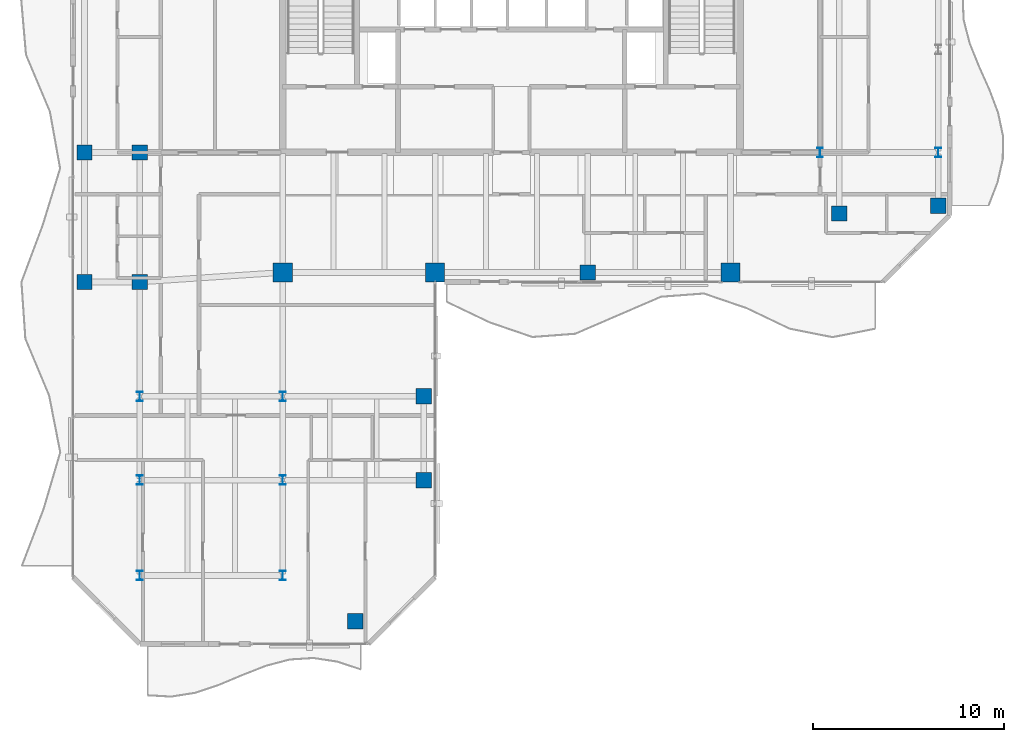
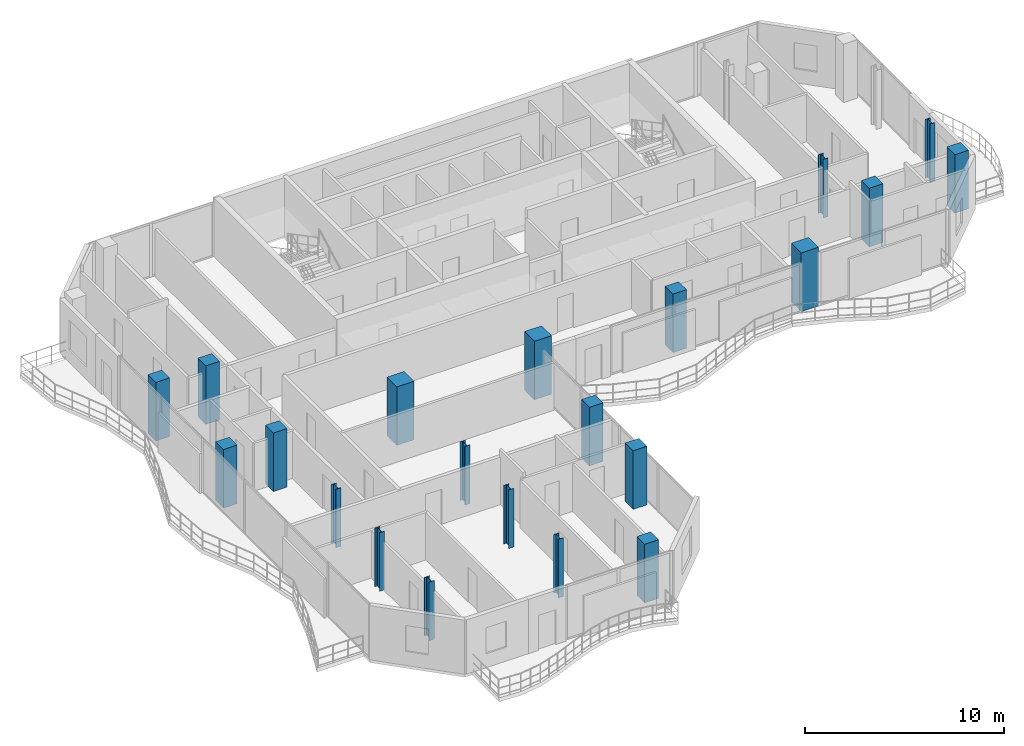
# One storey, part 1 of 23: 21 columns.
"""IFC4 building model written with IfcOpenShell, lengths in metres."""

from ifc_helpers import new_model, si_unit, direction, frame, origin, origin_2d, place, context, subcontext, project, spatial, rectangle, i_section, extrude, material, material_profile, profile_set, type_object, element, save


model = new_model("IFC4")

# Units and contexts
model_context = context("Model", 3, precision=1e-05, world=origin(), true_north=direction((0.0, 1.0)))
body_context = subcontext(model_context, "Body", "Model", "MODEL_VIEW")
ifc_project = project(units=[si_unit("LENGTHUNIT", "METRE"), si_unit("AREAUNIT", "SQUARE_METRE"), si_unit("VOLUMEUNIT", "CUBIC_METRE"), si_unit("PLANEANGLEUNIT", "RADIAN"), si_unit("MASSUNIT", "GRAM", prefix="KILO")], contexts=[model_context])

# Site, building, storey
site_placement = place(None, origin())
site = spatial("IfcSite", under=ifc_project, at=site_placement, CompositionType="ELEMENT")
building_placement = place(site_placement, origin())
building = spatial("IfcBuilding", under=site, at=building_placement, Name="Catumbela Crestline Tower", CompositionType="ELEMENT")
storey_placement = place(building_placement, frame((0.0, 0.0, 186.6)))
storey = spatial("IfcBuildingStorey", under=building, at=storey_placement, Name="L48", CompositionType="ELEMENT", Elevation=186.6)

# Columns
ifc_material_1 = material(Name="Concrete C50/60", Category="concrete")
ifc_material_profile_1 = material_profile(ifc_material_1, rectangle(XDim=1.0, YDim=1.0, at=origin_2d()), Name="RC 1000x1000")
ifc_profile_set_1 = profile_set([ifc_material_profile_1], Name="Concrete C50/60")
column_type_1 = type_object("IfcColumnType", Name="C-RC1000-C50", PredefinedType="COLUMN", material=ifc_profile_set_1)
for number, where, z_axis, x_axis, name in (
    (1, (16.0, 24.5, 0.0), (0.0, 0.0, 1.0), (1.0, 0.0, 0.0), "L48 Column C-16-24 (RC 1000x1000)"),
    (2, (24.0, 24.5, 0.0), (0.0, 0.0, 1.0), (1.0, 0.0, 0.0), "L48 Column C-24-24 (RC 1000x1000)"),
    (3, (39.5, 24.5, 0.0), (0.0, 0.0, 1.0), (1.0, 0.0, 0.0), "L48 Column C-40-24 (RC 1000x1000)"),
):
    element("IfcColumn", number, at=place(storey_placement, frame(where, z_axis=z_axis, x_axis=x_axis)), inside=storey, type_object=column_type_1, Name=name, PredefinedType="COLUMN", context=body_context, shape_type="SweptSolid", body=[
        extrude(rectangle(XDim=1.0, YDim=1.0, at=origin_2d()), origin(), (0.0, 0.0, 1.0), 3.6),
    ])
ifc_material_profile_2 = material_profile(ifc_material_1, rectangle(XDim=0.8, YDim=0.8, at=origin_2d()), Name="RC 800x800")
ifc_profile_set_2 = profile_set([ifc_material_profile_2], Name="Concrete C50/60")
column_type_2 = type_object("IfcColumnType", Name="C-RC800-C50", PredefinedType="COLUMN", material=ifc_profile_set_2)
for number, where, z_axis, x_axis, name in (
    (4, (8.5, 24.0, 0.0), (0.0, 0.0, 1.0), (1.0, 0.0, 0.0), "L48 Column C-08-24 (RC 800x800)"),
    (5, (32.0, 24.5, 0.0), (0.0, 0.0, 1.0), (1.0, 0.0, 0.0), "L48 Column C-32-24 (RC 800x800)"),
    (6, (5.6, 24.0, 0.0), (0.0, 0.0, 1.0), (1.0, 0.0, 0.0), "L48 Column C-05-24 (RC 800x800)"),
    (7, (5.6, 30.8, 0.0), (0.0, 0.0, 1.0), (1.0, 0.0, 0.0), "L48 Column C-05-31 (RC 800x800)"),
    (8, (8.5, 30.8, 0.0), (0.0, 0.0, 1.0), (1.0, 0.0, 0.0), "L48 Column C-08-31 (RC 800x800)"),
    (9, (45.2, 27.6, 0.0), (0.0, 0.0, 1.0), (1.0, 0.0, 0.0), "L48 Column C-46-24 (RC 800x800)"),
    (10, (50.4, 28.0, 0.0), (0.0, 0.0, 1.0), (1.0, 0.0, 0.0), "L48 Column C-51-24 (RC 800x800)"),
    (11, (19.8, 6.2, 0.0), (0.0, 0.0, 1.0), (1.0, 0.0, 0.0), "L48 Column C-24-05 (RC 800x800)"),
    (12, (23.4, 13.6, 0.0), (0.0, 0.0, 1.0), (1.0, 0.0, 0.0), "L48 Column C-24-10 (RC 800x800)"),
    (13, (23.4, 18.0, 0.0), (0.0, 0.0, 1.0), (1.0, 0.0, 0.0), "L48 Column C-24-16 (RC 800x800)"),
):
    element("IfcColumn", number, at=place(storey_placement, frame(where, z_axis=z_axis, x_axis=x_axis)), inside=storey, type_object=column_type_2, Name=name, PredefinedType="COLUMN", context=body_context, shape_type="SweptSolid", body=[
        extrude(rectangle(XDim=0.8, YDim=0.8, at=origin_2d()), origin(), (0.0, 0.0, 1.0), 3.6),
    ])
ifc_material_2 = material(Name="Structural steel S355J2", Category="steel")
ifc_material_profile_3 = material_profile(ifc_material_2, i_section(OverallWidth=0.3, OverallDepth=0.5, WebThickness=0.0145, FlangeThickness=0.028, FilletRadius=0.027, at=origin_2d()), Name="HEB 500")
ifc_profile_set_3 = profile_set([ifc_material_profile_3], Name="Structural steel S355J2")
column_type_3 = type_object("IfcColumnType", Name="C-ST-HEB500", PredefinedType="COLUMN", material=ifc_profile_set_3)
for number, where, z_axis, x_axis, name in (
    (14, (8.5, 8.6, 0.0), (0.0, 0.0, 1.0), (1.0, 0.0, 0.0), "L48 Column CT-05-05 (HEB 500)"),
    (15, (16.0, 8.6, 0.0), (0.0, 0.0, 1.0), (1.0, 0.0, 0.0), "L48 Column CT-14-05 (HEB 500)"),
    (16, (8.5, 13.6, 0.0), (0.0, 0.0, 1.0), (1.0, 0.0, 0.0), "L48 Column CT-05-10 (HEB 500)"),
    (17, (16.0, 13.6, 0.0), (0.0, 0.0, 1.0), (1.0, 0.0, 0.0), "L48 Column CT-14-10 (HEB 500)"),
    (18, (8.5, 18.0, 0.0), (0.0, 0.0, 1.0), (1.0, 0.0, 0.0), "L48 Column CT-05-16 (HEB 500)"),
    (19, (16.0, 18.0, 0.0), (0.0, 0.0, 1.0), (1.0, 0.0, 0.0), "L48 Column CT-14-16 (HEB 500)"),
    (20, (44.2, 30.8, 0.0), (0.0, 0.0, 1.0), (1.0, 0.0, 0.0), "L48 Column CT-46-31 (HEB 500)"),
    (21, (50.4, 30.8, 0.0), (0.0, 0.0, 1.0), (1.0, 0.0, 0.0), "L48 Column CT-51-31 (HEB 500)"),
):
    element("IfcColumn", number, at=place(storey_placement, frame(where, z_axis=z_axis, x_axis=x_axis)), inside=storey, type_object=column_type_3, Name=name, PredefinedType="COLUMN", context=body_context, shape_type="SweptSolid", body=[
        extrude(i_section(OverallWidth=0.3, OverallDepth=0.5, WebThickness=0.0145, FlangeThickness=0.028, FilletRadius=0.027, at=origin_2d()), origin(), (0.0, 0.0, 1.0), 3.6),
    ])

save(model, "model.ifc")
